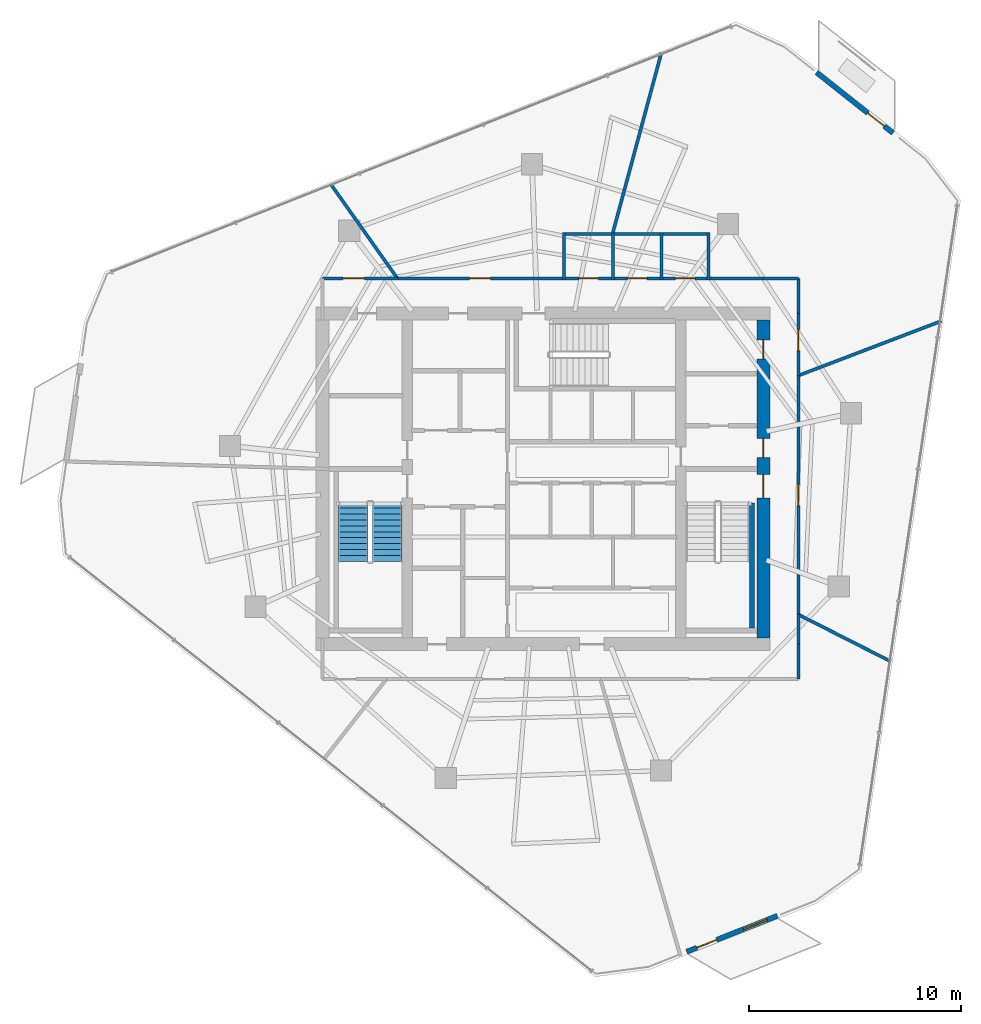
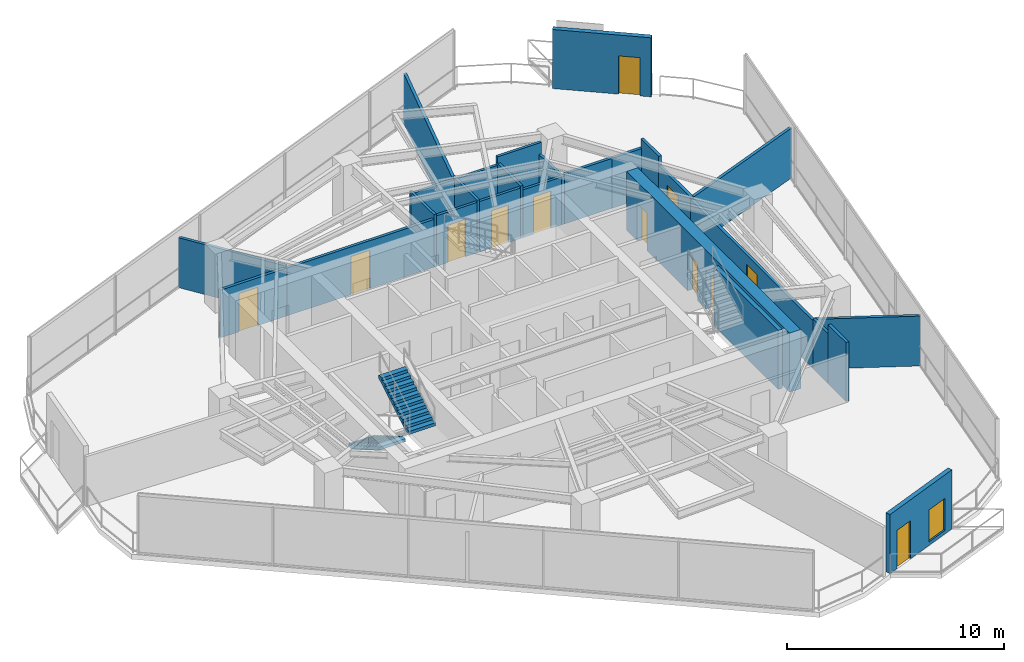
# One storey, part 17 of 20: 27 walls, 12 doors, 2 stair flights, 1 window, 13 openings, 1 element without a shape of its own.
"""IFC4 building model written with IfcOpenShell, lengths in metres."""

from ifc_helpers import new_model, si_unit, direction, frame, frame_2d, origin, place, context, subcontext, project, spatial, polyline, rectangle, outline, extrude, material, layer, layer_set, type_object, element, fill, aggregate, save


model = new_model("IFC4")

# Units and contexts
model_context = context("Model", 3, precision=1e-05, world=origin(), true_north=direction((0.0, 1.0)))
body_context = subcontext(model_context, "Body", "Model", "MODEL_VIEW")
ifc_project = project(units=[si_unit("LENGTHUNIT", "METRE"), si_unit("AREAUNIT", "SQUARE_METRE"), si_unit("VOLUMEUNIT", "CUBIC_METRE"), si_unit("PLANEANGLEUNIT", "RADIAN"), si_unit("MASSUNIT", "GRAM", prefix="KILO")], contexts=[model_context])

# Site, building, storey
site_placement = place(None, origin())
site = spatial("IfcSite", under=ifc_project, at=site_placement, CompositionType="ELEMENT")
building_placement = place(site_placement, origin())
building = spatial("IfcBuilding", under=site, at=building_placement, Name="Qarnah Convention Tower", CompositionType="ELEMENT")
storey_placement = place(building_placement, frame((0.0, 0.0, 147.300048828125)))
storey = spatial("IfcBuildingStorey", under=building, at=storey_placement, Name="L39", CompositionType="ELEMENT", Elevation=147.300048828125)

# Wall, openings, doors
ifc_material_1 = material(Name="Concrete C60/75", Category="concrete")
ifc_layer_1 = layer(ifc_material_1, 0.60009765625)
ifc_layer_set_1 = layer_set([ifc_layer_1], Name="Concrete C60/75")
wall_type_1 = type_object("IfcWallType", Name="WL-CORE-600", PredefinedType="SHEAR", material=ifc_layer_set_1)
wall_1_placement = place(storey_placement, frame((47.60009765625, 18.89990234375, 0.0), z_axis=(0.0, 0.0, 1.0), x_axis=(0.0, 1.0, 0.0)))
wall_1 = element("IfcWall", 1, at=wall_1_placement, inside=storey, type_object=wall_type_1, Name="L39 core east shear wall", PredefinedType="SHEAR", context=body_context, shape_type="SweptSolid", body=[
    extrude(rectangle(XDim=15.0, YDim=0.60009765625, at=frame_2d((7.5, 0.0))), origin(), (0.0, 0.0, 1.0), 3.320068359375),
])
opening_1_placement = place(wall_1_placement, frame((6.60009765625, 0.0, 0.0)))
opening_1 = element("IfcOpeningElement", 2, at=opening_1_placement, cuts=wall_1, Name="Opening D-3902", PredefinedType="OPENING", context=body_context, shape_type="SweptSolid", body=[
    extrude(rectangle(XDim=1.10009765625, YDim=2.14990234375, at=frame_2d((0.550048828125, 1.074951171875))), frame((0.0, 0.31005859375, 0.0), z_axis=(0.0, -1.0, 0.0), x_axis=(1.0, 0.0, 0.0)), (0.0, 0.0, 1.0), 0.6201171875),
])
opening_2_placement = place(wall_1_placement, frame((8.5, 0.0, 0.0)))
opening_2 = element("IfcOpeningElement", 3, at=opening_2_placement, cuts=wall_1, Name="Opening D-3906", PredefinedType="OPENING", context=body_context, shape_type="SweptSolid", body=[
    extrude(rectangle(XDim=0.89990234375, YDim=2.10009765625, at=frame_2d((0.449951171875, 1.050048828125))), frame((0.0, 0.31005859375, 0.0), z_axis=(0.0, -1.0, 0.0), x_axis=(1.0, 0.0, 0.0)), (0.0, 0.0, 1.0), 0.6201171875),
])
opening_3_placement = place(wall_1_placement, frame((13.14990234375, 0.0, 0.0)))
opening_3 = element("IfcOpeningElement", 4, at=opening_3_placement, cuts=wall_1, Name="Opening D-3912", PredefinedType="OPENING", context=body_context, shape_type="SweptSolid", body=[
    extrude(rectangle(XDim=0.89990234375, YDim=2.10009765625, at=frame_2d((0.449951171875, 1.050048828125))), frame((0.0, 0.31005859375, 0.0), z_axis=(0.0, -1.0, 0.0), x_axis=(1.0, 0.0, 0.0)), (0.0, 0.0, 1.0), 0.6201171875),
])
ifc_material_2 = material(Name="Structural steel S355JR", Category="steel")
door_type_1 = type_object("IfcDoorType", Name="DT-RISER-900", OperationType="NOTDEFINED", PredefinedType="DOOR", material=ifc_material_2)
door_1_placement = place(opening_2_placement, origin())
door_1 = element("IfcDoor", 5, at=door_1_placement, inside=storey, type_object=door_type_1, Name="Door D-3906", OperationType="SINGLE_SWING_RIGHT", OverallHeight=2.10009765625, OverallWidth=0.89990234375, PredefinedType="DOOR", context=body_context, shape_type="SweptSolid", body=[
    extrude(rectangle(XDim=0.89990234375, YDim=2.10009765625, at=frame_2d((0.449951171875, 1.050048828125))), frame((0.0, 0.02490234375, 0.0), z_axis=(0.0, -1.0, 0.0), x_axis=(1.0, 0.0, 0.0)), (0.0, 0.0, 1.0), 0.050048828125),
])
fill(opening_2, door_1)
door_2_placement = place(opening_3_placement, origin())
door_2 = element("IfcDoor", 6, at=door_2_placement, inside=storey, type_object=door_type_1, Name="Door D-3912", OperationType="SINGLE_SWING_RIGHT", OverallHeight=2.10009765625, OverallWidth=0.89990234375, PredefinedType="DOOR", context=body_context, shape_type="SweptSolid", body=[
    extrude(rectangle(XDim=0.89990234375, YDim=2.10009765625, at=frame_2d((0.449951171875, 1.050048828125))), frame((0.0, 0.02490234375, 0.0), z_axis=(0.0, -1.0, 0.0), x_axis=(1.0, 0.0, 0.0)), (0.0, 0.0, 1.0), 0.050048828125),
])
fill(opening_3, door_2)
door_type_2 = type_object("IfcDoorType", Name="DT-STAIR-1100", OperationType="NOTDEFINED", PredefinedType="DOOR", material=ifc_material_2)
door_3_placement = place(opening_1_placement, origin())
door_3 = element("IfcDoor", 7, at=door_3_placement, inside=storey, type_object=door_type_2, Name="Door D-3902", OperationType="SINGLE_SWING_RIGHT", OverallHeight=2.14990234375, OverallWidth=1.10009765625, PredefinedType="DOOR", context=body_context, shape_type="SweptSolid", body=[
    extrude(rectangle(XDim=1.10009765625, YDim=2.14990234375, at=frame_2d((0.550048828125, 1.074951171875))), frame((0.0, 0.02490234375, 0.0), z_axis=(0.0, -1.0, 0.0), x_axis=(1.0, 0.0, 0.0)), (0.0, 0.0, 1.0), 0.050048828125),
])
fill(opening_1, door_3)

# Wall
ifc_layer_2 = layer(ifc_material_1, 0.219970703125)
ifc_layer_set_2 = layer_set([ifc_layer_2], Name="Concrete C60/75")
wall_type_2 = type_object("IfcWallType", Name="WL-CORE-STAIR-220", PredefinedType="SHEAR", material=ifc_layer_set_2)
wall_2_placement = place(storey_placement, frame((47.06005859375, 19.35009765625, 0.0), z_axis=(0.0, 0.0, 1.0), x_axis=(0.0, 1.0, 0.0)))
element("IfcWall", 8, at=wall_2_placement, inside=storey, type_object=wall_type_2, Name="L39 stair shaft shear wall SW-L39-ST2E", PredefinedType="SHEAR", context=body_context, shape_type="SweptSolid", body=[
    extrude(rectangle(XDim=5.89990234375, YDim=0.219970703125, at=frame_2d((2.949951171875, 0.0))), origin(), (0.0, 0.0, 1.0), 3.320068359375),
])

# Wall, opening, door
ifc_material_3 = material(Name="Precast concrete C45/55", Category="concrete")
ifc_layer_3 = layer(ifc_material_3, 0.239990234375)
ifc_layer_set_3 = layer_set([ifc_layer_3], Name="Precast concrete C45/55")
wall_type_3 = type_object("IfcWallType", Name="WL-EXT-BAL-240", PredefinedType="SOLIDWALL", material=ifc_layer_set_3)
wall_3_placement = place(storey_placement, frame((50.10400390625, 45.56689453125, 0.0), z_axis=(0.0, 0.0, 1.0), x_axis=(0.783729302123, -0.621102552719, 0.0)))
wall_3 = element("IfcWall", 9, at=wall_3_placement, inside=storey, type_object=wall_type_3, Name="L39 loggia threshold wall BAL-L39-C1", PredefinedType="SOLIDWALL", context=body_context, shape_type="SweptSolid", body=[
    extrude(rectangle(XDim=4.599853515625, YDim=0.239990234375, at=frame_2d((2.2998046875, 0.0))), origin(), (0.0, 0.0, 1.0), 3.320068359375),
])
opening_4_placement = place(wall_3_placement, frame((3.080078125, 0.0, 0.0)))
opening_4 = element("IfcOpeningElement", 10, at=opening_4_placement, cuts=wall_3, Name="Opening BD-3901", PredefinedType="OPENING", context=body_context, shape_type="SweptSolid", body=[
    extrude(rectangle(XDim=1.0, YDim=2.14990234375, at=frame_2d((0.5, 1.074951171875))), frame((0.0, 0.1298828125, 0.0), z_axis=(0.0, -1.0, 0.0), x_axis=(1.0, 0.0, 0.0)), (0.0, 0.0, 1.0), 0.260009765625),
])
ifc_material_4 = material(Name="Black anodised aluminium", Category="aluminium")
door_type_3 = type_object("IfcDoorType", Name="DT-BAL-1000", OperationType="NOTDEFINED", PredefinedType="DOOR", material=ifc_material_4)
door_4_placement = place(opening_4_placement, origin())
door_4 = element("IfcDoor", 11, at=door_4_placement, inside=storey, type_object=door_type_3, Name="L39 balcony terrace door BAL-L39-C1", OperationType="SINGLE_SWING_RIGHT", OverallHeight=2.14990234375, OverallWidth=1.0, PredefinedType="DOOR", context=body_context, shape_type="SweptSolid", body=[
    extrude(rectangle(XDim=1.0, YDim=2.14990234375, at=frame_2d((0.5, 1.074951171875))), frame((0.0, 0.02490234375, 0.0), z_axis=(0.0, -1.0, 0.0), x_axis=(1.0, 0.0, 0.0)), (0.0, 0.0, 1.0), 0.050048828125),
])
fill(opening_4, door_4)

# Wall, openings, door, window
wall_4_placement = place(storey_placement, frame((48.257080078125, 5.783935546875, 0.0), z_axis=(0.0, 0.0, 1.0), x_axis=(-0.929744926531, -0.368204252541, 0.0)))
wall_4 = element("IfcWall", 12, at=wall_4_placement, inside=storey, type_object=wall_type_3, Name="L39 loggia threshold wall BAL-L39-C3", PredefinedType="SOLIDWALL", context=body_context, shape_type="SweptSolid", body=[
    extrude(rectangle(XDim=4.600341796875, YDim=0.239990234375, at=frame_2d((2.30029296875, 0.0))), origin(), (0.0, 0.0, 1.0), 3.320068359375),
])
opening_5_placement = place(wall_4_placement, frame((3.080078125, 0.0, 0.0)))
opening_5 = element("IfcOpeningElement", 13, at=opening_5_placement, cuts=wall_4, Name="Opening BD-3903", PredefinedType="OPENING", context=body_context, shape_type="SweptSolid", body=[
    extrude(rectangle(XDim=1.0, YDim=2.14990234375, at=frame_2d((0.5, 1.074951171875))), frame((0.0, 0.1298828125, 0.0), z_axis=(0.0, -1.0, 0.0), x_axis=(1.0, 0.0, 0.0)), (0.0, 0.0, 1.0), 0.260009765625),
])
opening_6_placement = place(wall_4_placement, frame((0.52001953125, 0.0, 0.199951171875)))
opening_6 = element("IfcOpeningElement", 14, at=opening_6_placement, cuts=wall_4, Name="Opening WN5", PredefinedType="OPENING", context=body_context, shape_type="SweptSolid", body=[
    extrude(rectangle(XDim=1.199951171875, YDim=1.800048828125, at=frame_2d((0.60009765625, 0.89990234375))), frame((0.0, 0.1298828125, 0.0), z_axis=(0.0, -1.0, 0.0), x_axis=(1.0, 0.0, 0.0)), (0.0, 0.0, 1.0), 0.260009765625),
])
door_5_placement = place(opening_5_placement, origin())
door_5 = element("IfcDoor", 15, at=door_5_placement, inside=storey, type_object=door_type_3, Name="L39 balcony terrace door BAL-L39-C3", OperationType="SINGLE_SWING_RIGHT", OverallHeight=2.14990234375, OverallWidth=1.0, PredefinedType="DOOR", context=body_context, shape_type="SweptSolid", body=[
    extrude(rectangle(XDim=1.0, YDim=2.14990234375, at=frame_2d((0.5, 1.074951171875))), frame((0.0, 0.02490234375, 0.0), z_axis=(0.0, -1.0, 0.0), x_axis=(1.0, 0.0, 0.0)), (0.0, 0.0, 1.0), 0.050048828125),
])
fill(opening_5, door_5)
ifc_material_5 = material(Name="Tempered Low-E dark glass", Category="glass")
window_type = type_object("IfcWindowType", Name="WT-BAL-1200X1800", PartitioningType="SINGLE_PANEL", PredefinedType="WINDOW", material=ifc_material_5)
window_placement = place(opening_6_placement, origin())
window = element("IfcWindow", 16, at=window_placement, inside=storey, type_object=window_type, Name="Window BW-BAL-L39-C3", OverallHeight=1.800048828125, OverallWidth=1.199951171875, PartitioningType="SINGLE_PANEL", PredefinedType="WINDOW", context=body_context, shape_type="SweptSolid", body=[
    extrude(rectangle(XDim=1.199951171875, YDim=1.800048828125, at=frame_2d((0.60009765625, 0.89990234375))), frame((0.0, 0.030029296875, 0.0), z_axis=(0.0, -1.0, 0.0), x_axis=(1.0, 0.0, 0.0)), (0.0, 0.0, 1.0), 0.06005859375),
])
fill(opening_6, window)

# Walls
ifc_material_6 = material(Name="Gypsum partition board")
ifc_layer_4 = layer(ifc_material_6, 0.14990234375)
ifc_layer_set_4 = layer_set([ifc_layer_4], Name="Gypsum partition board")
wall_type_4 = type_object("IfcWallType", Name="WL-SUITE-150", PredefinedType="PARTITIONING", material=ifc_layer_set_4)
wall_5_placement = place(storey_placement, frame((42.783935546875, 46.492919921875, 0.0), z_axis=(0.0, 0.0, 1.0), x_axis=(-0.260267791006, -0.965536471069, 0.0)))
element("IfcWall", 17, at=wall_5_placement, inside=storey, type_object=wall_type_4, Name="L39 interior wall IW-L39-R-11", PredefinedType="PARTITIONING", context=body_context, shape_type="SweptSolid", body=[
    extrude(rectangle(XDim=8.775390625, YDim=0.14990234375, at=frame_2d((4.3876953125, 0.0))), origin(), (0.0, 0.0, 1.0), 2.804931640625),
])
wall_6_placement = place(storey_placement, frame((45.070068359375, 35.85009765625, 0.0), z_axis=(0.0, 0.0, 1.0), x_axis=(1.0, 0.0, 0.0)))
element("IfcWall", 18, at=wall_6_placement, inside=storey, type_object=wall_type_4, Name="L39 interior wall IW-L39-R-12", PredefinedType="PARTITIONING", context=body_context, shape_type="SweptSolid", body=[
    extrude(rectangle(XDim=2.530029296875, YDim=0.14990234375, at=frame_2d((1.26513671875, 0.0))), origin(), (0.0, 0.0, 1.0), 2.804931640625),
])
wall_7_placement = place(storey_placement, frame((47.60009765625, 35.85009765625, 0.0), z_axis=(0.0, 0.0, 1.0), x_axis=(1.0, 0.0, 0.0)))
element("IfcWall", 19, at=wall_7_placement, inside=storey, type_object=wall_type_4, Name="L39 interior wall IW-L39-R-13", PredefinedType="PARTITIONING", context=body_context, shape_type="SweptSolid", body=[
    extrude(rectangle(XDim=1.64990234375, YDim=0.14990234375, at=frame_2d((0.824951171875, 0.0))), origin(), (0.0, 0.0, 1.0), 2.804931640625),
])
wall_8_placement = place(storey_placement, frame((49.25, 35.85009765625, 0.0), z_axis=(0.0, 0.0, 1.0), x_axis=(0.0, -1.0, 0.0)))
element("IfcWall", 20, at=wall_8_placement, inside=storey, type_object=wall_type_4, Name="L39 interior wall IW-L39-R-14", PredefinedType="PARTITIONING", context=body_context, shape_type="SweptSolid", body=[
    extrude(rectangle(XDim=1.650146484375, YDim=0.14990234375, at=frame_2d((0.8251953125, 0.0))), origin(), (0.0, 0.0, 1.0), 3.320068359375),
])

# Wall, opening, door
wall_9_placement = place(storey_placement, frame((49.25, 34.199951171875, 0.0), z_axis=(0.0, 0.0, 1.0), x_axis=(0.0, -1.0, 0.0)))
wall_9 = element("IfcWall", 21, at=wall_9_placement, inside=storey, type_object=wall_type_4, Name="L39 interior wall IW-L39-R-15", PredefinedType="PARTITIONING", context=body_context, shape_type="SweptSolid", body=[
    extrude(rectangle(XDim=2.930908203125, YDim=0.14990234375, at=frame_2d((1.46533203125, 0.0))), origin(), (0.0, 0.0, 1.0), 2.804931640625),
])
opening_7_placement = place(wall_9_placement, frame((0.758056640625, 0.0, 0.0)))
opening_7 = element("IfcOpeningElement", 22, at=opening_7_placement, cuts=wall_9, Name="Opening D-3921", PredefinedType="OPENING", context=body_context, shape_type="SweptSolid", body=[
    extrude(rectangle(XDim=1.0, YDim=2.14990234375, at=frame_2d((0.5, 1.074951171875))), frame((0.0, 0.0849609375, 0.0), z_axis=(0.0, -1.0, 0.0), x_axis=(1.0, 0.0, 0.0)), (0.0, 0.0, 1.0), 0.169921875),
])
ifc_material_7 = material(Name="Oak timber veneer", Category="wood")
door_type_4 = type_object("IfcDoorType", Name="DT-OFFICE-1000", OperationType="NOTDEFINED", PredefinedType="DOOR", material=ifc_material_7)
door_6_placement = place(opening_7_placement, origin())
door_6 = element("IfcDoor", 23, at=door_6_placement, inside=storey, type_object=door_type_4, Name="Door D-3921", OperationType="SINGLE_SWING_LEFT", OverallHeight=2.14990234375, OverallWidth=1.0, PredefinedType="DOOR", context=body_context, shape_type="SweptSolid", body=[
    extrude(rectangle(XDim=1.0, YDim=2.14990234375, at=frame_2d((0.5, 1.074951171875))), frame((0.0, 0.02490234375, 0.0), z_axis=(0.0, -1.0, 0.0), x_axis=(1.0, 0.0, 0.0)), (0.0, 0.0, 1.0), 0.050048828125),
])
fill(opening_7, door_6)

# Walls
wall_10_placement = place(storey_placement, frame((49.25, 31.26904296875, 0.0), z_axis=(0.0, 0.0, 1.0), x_axis=(0.934340171391, 0.356382440821, 0.0)))
element("IfcWall", 24, at=wall_10_placement, inside=storey, type_object=wall_type_4, Name="L39 interior wall IW-L39-R-16", PredefinedType="PARTITIONING", context=body_context, shape_type="SweptSolid", body=[
    extrude(rectangle(XDim=7.21142578125, YDim=0.14990234375, at=frame_2d((3.605712890625, 0.0))), origin(), (0.0, 0.0, 1.0), 2.804931640625),
])
wall_11_placement = place(storey_placement, frame((27.18505859375, 40.302001953125, 0.0), z_axis=(0.0, 0.0, 1.0), x_axis=(0.577466904183, -0.816414095036, 0.0)))
element("IfcWall", 25, at=wall_11_placement, inside=storey, type_object=wall_type_4, Name="L39 interior wall IW-L39-R-17", PredefinedType="PARTITIONING", context=body_context, shape_type="SweptSolid", body=[
    extrude(rectangle(XDim=5.452880859375, YDim=0.14990234375, at=frame_2d((2.7265625, 0.0))), origin(), (0.0, 0.0, 1.0), 2.804931640625),
])

# Wall, opening, door
wall_12_placement = place(storey_placement, frame((30.333984375, 35.85009765625, 0.0), z_axis=(0.0, 0.0, 1.0), x_axis=(1.0, 0.0, 0.0)))
wall_12 = element("IfcWall", 26, at=wall_12_placement, inside=storey, type_object=wall_type_4, Name="L39 interior wall IW-L39-R-18", PredefinedType="PARTITIONING", context=body_context, shape_type="SweptSolid", body=[
    extrude(rectangle(XDim=7.7958984375, YDim=0.14990234375, at=frame_2d((3.89794921875, 0.0))), origin(), (0.0, 0.0, 1.0), 2.68701171875),
])
opening_8_placement = place(wall_12_placement, frame((3.39794921875, 0.0, 0.0)))
opening_8 = element("IfcOpeningElement", 27, at=opening_8_placement, cuts=wall_12, Name="Opening D-3922", PredefinedType="OPENING", context=body_context, shape_type="SweptSolid", body=[
    extrude(rectangle(XDim=1.0, YDim=2.14990234375, at=frame_2d((0.5, 1.074951171875))), frame((0.0, 0.0849609375, 0.0), z_axis=(0.0, -1.0, 0.0), x_axis=(1.0, 0.0, 0.0)), (0.0, 0.0, 1.0), 0.169921875),
])
door_7_placement = place(opening_8_placement, origin())
door_7 = element("IfcDoor", 28, at=door_7_placement, inside=storey, type_object=door_type_4, Name="Door D-3922", OperationType="SINGLE_SWING_RIGHT", OverallHeight=2.14990234375, OverallWidth=1.0, PredefinedType="DOOR", context=body_context, shape_type="SweptSolid", body=[
    extrude(rectangle(XDim=1.0, YDim=2.14990234375, at=frame_2d((0.5, 1.074951171875))), frame((0.0, 0.02490234375, 0.0), z_axis=(0.0, -1.0, 0.0), x_axis=(1.0, 0.0, 0.0)), (0.0, 0.0, 1.0), 0.050048828125),
])
fill(opening_8, door_7)

wall_13_placement = place(storey_placement, frame((26.800048828125, 35.85009765625, 0.0), z_axis=(0.0, 0.0, 1.0), x_axis=(1.0, 0.0, 0.0)))
wall_13 = element("IfcWall", 29, at=wall_13_placement, inside=storey, type_object=wall_type_4, Name="L39 interior wall IW-L39-R-21", PredefinedType="PARTITIONING", context=body_context, shape_type="SweptSolid", body=[
    extrude(rectangle(XDim=3.533935546875, YDim=0.14990234375, at=frame_2d((1.76708984375, 0.0))), origin(), (0.0, 0.0, 1.0), 2.68701171875),
])
opening_9_placement = place(wall_13_placement, frame((0.97412109375, 0.0, 0.0)))
opening_9 = element("IfcOpeningElement", 30, at=opening_9_placement, cuts=wall_13, Name="Opening D-3923", PredefinedType="OPENING", context=body_context, shape_type="SweptSolid", body=[
    extrude(rectangle(XDim=1.0, YDim=2.14990234375, at=frame_2d((0.5, 1.074951171875))), frame((0.0, 0.0849609375, 0.0), z_axis=(0.0, -1.0, 0.0), x_axis=(1.0, 0.0, 0.0)), (0.0, 0.0, 1.0), 0.169921875),
])
door_8_placement = place(opening_9_placement, origin())
door_8 = element("IfcDoor", 31, at=door_8_placement, inside=storey, type_object=door_type_4, Name="Door D-3923", OperationType="SINGLE_SWING_LEFT", OverallHeight=2.14990234375, OverallWidth=1.0, PredefinedType="DOOR", context=body_context, shape_type="SweptSolid", body=[
    extrude(rectangle(XDim=1.0, YDim=2.14990234375, at=frame_2d((0.5, 1.074951171875))), frame((0.0, 0.02490234375, 0.0), z_axis=(0.0, -1.0, 0.0), x_axis=(1.0, 0.0, 0.0)), (0.0, 0.0, 1.0), 0.050048828125),
])
fill(opening_9, door_8)

# Walls
wall_14_placement = place(storey_placement, frame((53.610107421875, 17.780029296875, 0.0), z_axis=(0.0, 0.0, 1.0), x_axis=(-0.891724745878, 0.452578145285, 0.0)))
element("IfcWall", 32, at=wall_14_placement, inside=storey, type_object=wall_type_4, Name="L39 interior wall IW-L39-R-27", PredefinedType="PARTITIONING", context=body_context, shape_type="SweptSolid", body=[
    extrude(rectangle(XDim=4.889404296875, YDim=0.14990234375, at=frame_2d((2.44482421875, 0.0))), origin(), (0.0, 0.0, 1.0), 2.804931640625),
])
wall_15_placement = place(storey_placement, frame((49.25, 19.992919921875, 0.0), z_axis=(0.0, 0.0, 1.0), x_axis=(0.0, -1.0, 0.0)))
element("IfcWall", 33, at=wall_15_placement, inside=storey, type_object=wall_type_4, Name="L39 interior wall IW-L39-R-28", PredefinedType="PARTITIONING", context=body_context, shape_type="SweptSolid", body=[
    extrude(rectangle(XDim=1.392822265625, YDim=0.14990234375, at=frame_2d((0.6962890625, 0.0))), origin(), (0.0, 0.0, 1.0), 2.804931640625),
])
wall_16_placement = place(storey_placement, frame((49.25, 18.60009765625, 0.0), z_axis=(0.0, 0.0, 1.0), x_axis=(0.0, -1.0, 0.0)))
element("IfcWall", 34, at=wall_16_placement, inside=storey, type_object=wall_type_4, Name="L39 interior wall IW-L39-R-29", PredefinedType="PARTITIONING", context=body_context, shape_type="SweptSolid", body=[
    extrude(rectangle(XDim=1.650146484375, YDim=0.14990234375, at=frame_2d((0.8251953125, 0.0))), origin(), (0.0, 0.0, 1.0), 3.320068359375),
])

# Wall, opening, door
wall_17_placement = place(storey_placement, frame((49.25, 31.26904296875, 0.0), z_axis=(0.0, 0.0, 1.0), x_axis=(0.0, -1.0, 0.0)))
wall_17 = element("IfcWall", 35, at=wall_17_placement, inside=storey, type_object=wall_type_4, Name="L39 interior wall IW-L39-R-31", PredefinedType="PARTITIONING", context=body_context, shape_type="SweptSolid", body=[
    extrude(rectangle(XDim=11.276123046875, YDim=0.14990234375, at=frame_2d((5.63818359375, 0.0))), origin(), (0.0, 0.0, 1.0), 2.68701171875),
])
opening_10_placement = place(wall_17_placement, frame((5.137939453125, 0.0, 0.0)))
opening_10 = element("IfcOpeningElement", 36, at=opening_10_placement, cuts=wall_17, Name="Opening D-3927", PredefinedType="OPENING", context=body_context, shape_type="SweptSolid", body=[
    extrude(rectangle(XDim=1.0, YDim=2.14990234375, at=frame_2d((0.5, 1.074951171875))), frame((0.0, 0.0849609375, 0.0), z_axis=(0.0, -1.0, 0.0), x_axis=(1.0, 0.0, 0.0)), (0.0, 0.0, 1.0), 0.169921875),
])
door_9_placement = place(opening_10_placement, origin())
door_9 = element("IfcDoor", 37, at=door_9_placement, inside=storey, type_object=door_type_4, Name="Door D-3927", OperationType="SINGLE_SWING_LEFT", OverallHeight=2.14990234375, OverallWidth=1.0, PredefinedType="DOOR", context=body_context, shape_type="SweptSolid", body=[
    extrude(rectangle(XDim=1.0, YDim=2.14990234375, at=frame_2d((0.5, 1.074951171875))), frame((0.0, 0.02490234375, 0.0), z_axis=(0.0, -1.0, 0.0), x_axis=(1.0, 0.0, 0.0)), (0.0, 0.0, 1.0), 0.050048828125),
])
fill(opening_10, door_9)

ifc_layer_5 = layer(ifc_material_6, 0.139892578125)
ifc_layer_set_5 = layer_set([ifc_layer_5], Name="Gypsum partition board")
wall_type_5 = type_object("IfcWallType", Name="WL-WET-140", PredefinedType="PARTITIONING", material=ifc_layer_set_5)
wall_18_placement = place(storey_placement, frame((38.1298828125, 35.85009765625, 0.0), z_axis=(0.0, 0.0, 1.0), x_axis=(1.0, 0.0, 0.0)))
wall_18 = element("IfcWall", 38, at=wall_18_placement, inside=storey, type_object=wall_type_5, Name="L39 interior wall IW-L39-WCM-1", PredefinedType="PARTITIONING", context=body_context, shape_type="SweptSolid", body=[
    extrude(rectangle(XDim=2.440185546875, YDim=0.139892578125, at=frame_2d((1.22021484375, 0.0))), origin(), (0.0, 0.0, 1.0), 2.841064453125),
])
opening_11_placement = place(wall_18_placement, frame((0.760009765625, 0.0, 0.0)))
opening_11 = element("IfcOpeningElement", 39, at=opening_11_placement, cuts=wall_18, Name="Opening D-3918", PredefinedType="OPENING", context=body_context, shape_type="SweptSolid", body=[
    extrude(rectangle(XDim=0.919921875, YDim=2.10009765625, at=frame_2d((0.4599609375, 1.050048828125))), frame((0.0, 0.079833984375, 0.0), z_axis=(0.0, -1.0, 0.0), x_axis=(1.0, 0.0, 0.0)), (0.0, 0.0, 1.0), 0.159912109375),
])
door_type_5 = type_object("IfcDoorType", Name="DT-WC-920", OperationType="NOTDEFINED", PredefinedType="DOOR", material=ifc_material_7)
door_10_placement = place(opening_11_placement, origin())
door_10 = element("IfcDoor", 40, at=door_10_placement, inside=storey, type_object=door_type_5, Name="Door D-3918", OperationType="SINGLE_SWING_RIGHT", OverallHeight=2.10009765625, OverallWidth=0.919921875, PredefinedType="DOOR", context=body_context, shape_type="SweptSolid", body=[
    extrude(rectangle(XDim=0.919921875, YDim=2.10009765625, at=frame_2d((0.4599609375, 1.050048828125))), frame((0.0, 0.02490234375, 0.0), z_axis=(0.0, -1.0, 0.0), x_axis=(1.0, 0.0, 0.0)), (0.0, 0.0, 1.0), 0.050048828125),
])
fill(opening_11, door_10)

# Walls
wall_19_placement = place(storey_placement, frame((40.5, 35.780029296875, 0.0), z_axis=(0.0, 0.0, 1.0), x_axis=(0.0, 1.0, 0.0)))
element("IfcWall", 41, at=wall_19_placement, inside=storey, type_object=wall_type_5, Name="L39 interior wall IW-L39-WCM-2", PredefinedType="PARTITIONING", context=body_context, shape_type="SweptSolid", body=[
    extrude(rectangle(XDim=2.239990234375, YDim=0.139892578125, at=frame_2d((1.1201171875, 0.0))), origin(), (0.0, 0.0, 1.0), 2.948974609375),
])
wall_20_placement = place(storey_placement, frame((40.570068359375, 37.949951171875, 0.0), z_axis=(0.0, 0.0, 1.0), x_axis=(-1.0, 0.0, 0.0)))
element("IfcWall", 42, at=wall_20_placement, inside=storey, type_object=wall_type_5, Name="L39 interior wall IW-L39-WCM-3", PredefinedType="PARTITIONING", context=body_context, shape_type="SweptSolid", body=[
    extrude(rectangle(XDim=2.440185546875, YDim=0.139892578125, at=frame_2d((1.22021484375, 0.0))), origin(), (0.0, 0.0, 1.0), 2.841064453125),
])
wall_21_placement = place(storey_placement, frame((38.199951171875, 38.02001953125, 0.0), z_axis=(0.0, 0.0, 1.0), x_axis=(0.0, -1.0, 0.0)))
element("IfcWall", 43, at=wall_21_placement, inside=storey, type_object=wall_type_5, Name="L39 interior wall IW-L39-WCM-4", PredefinedType="PARTITIONING", context=body_context, shape_type="SweptSolid", body=[
    extrude(rectangle(XDim=2.239990234375, YDim=0.139892578125, at=frame_2d((1.1201171875, 0.0))), origin(), (0.0, 0.0, 1.0), 2.948974609375),
])

# Wall, opening, door
wall_22_placement = place(storey_placement, frame((40.429931640625, 35.85009765625, 0.0), z_axis=(0.0, 0.0, 1.0), x_axis=(1.0, 0.0, 0.0)))
wall_22 = element("IfcWall", 44, at=wall_22_placement, inside=storey, type_object=wall_type_5, Name="L39 interior wall IW-L39-WCF-1", PredefinedType="PARTITIONING", context=body_context, shape_type="SweptSolid", body=[
    extrude(rectangle(XDim=2.440185546875, YDim=0.139892578125, at=frame_2d((1.22021484375, 0.0))), origin(), (0.0, 0.0, 1.0), 2.841064453125),
])
opening_12_placement = place(wall_22_placement, frame((0.760009765625, 0.0, 0.0)))
opening_12 = element("IfcOpeningElement", 45, at=opening_12_placement, cuts=wall_22, Name="Opening D-3919", PredefinedType="OPENING", context=body_context, shape_type="SweptSolid", body=[
    extrude(rectangle(XDim=0.919921875, YDim=2.10009765625, at=frame_2d((0.4599609375, 1.050048828125))), frame((0.0, 0.079833984375, 0.0), z_axis=(0.0, -1.0, 0.0), x_axis=(1.0, 0.0, 0.0)), (0.0, 0.0, 1.0), 0.159912109375),
])
door_11_placement = place(opening_12_placement, origin())
door_11 = element("IfcDoor", 46, at=door_11_placement, inside=storey, type_object=door_type_5, Name="Door D-3919", OperationType="SINGLE_SWING_LEFT", OverallHeight=2.10009765625, OverallWidth=0.919921875, PredefinedType="DOOR", context=body_context, shape_type="SweptSolid", body=[
    extrude(rectangle(XDim=0.919921875, YDim=2.10009765625, at=frame_2d((0.4599609375, 1.050048828125))), frame((0.0, 0.02490234375, 0.0), z_axis=(0.0, -1.0, 0.0), x_axis=(1.0, 0.0, 0.0)), (0.0, 0.0, 1.0), 0.050048828125),
])
fill(opening_12, door_11)

# Walls
wall_23_placement = place(storey_placement, frame((42.800048828125, 35.780029296875, 0.0), z_axis=(0.0, 0.0, 1.0), x_axis=(0.0, 1.0, 0.0)))
element("IfcWall", 47, at=wall_23_placement, inside=storey, type_object=wall_type_5, Name="L39 interior wall IW-L39-WCF-2", PredefinedType="PARTITIONING", context=body_context, shape_type="SweptSolid", body=[
    extrude(rectangle(XDim=2.239990234375, YDim=0.139892578125, at=frame_2d((1.1201171875, 0.0))), origin(), (0.0, 0.0, 1.0), 2.948974609375),
])
wall_24_placement = place(storey_placement, frame((42.8701171875, 37.949951171875, 0.0), z_axis=(0.0, 0.0, 1.0), x_axis=(-1.0, 0.0, 0.0)))
element("IfcWall", 48, at=wall_24_placement, inside=storey, type_object=wall_type_5, Name="L39 interior wall IW-L39-WCF-3", PredefinedType="PARTITIONING", context=body_context, shape_type="SweptSolid", body=[
    extrude(rectangle(XDim=2.440185546875, YDim=0.139892578125, at=frame_2d((1.22021484375, 0.0))), origin(), (0.0, 0.0, 1.0), 2.841064453125),
])

# Wall, opening, door
wall_25_placement = place(storey_placement, frame((42.72998046875, 35.85009765625, 0.0), z_axis=(0.0, 0.0, 1.0), x_axis=(1.0, 0.0, 0.0)))
wall_25 = element("IfcWall", 49, at=wall_25_placement, inside=storey, type_object=wall_type_5, Name="L39 interior wall IW-L39-WCA-1", PredefinedType="PARTITIONING", context=body_context, shape_type="SweptSolid", body=[
    extrude(rectangle(XDim=2.340087890625, YDim=0.139892578125, at=frame_2d((1.169921875, 0.0))), origin(), (0.0, 0.0, 1.0), 2.68701171875),
])
opening_13_placement = place(wall_25_placement, frame((0.7099609375, 0.0, 0.0)))
opening_13 = element("IfcOpeningElement", 50, at=opening_13_placement, cuts=wall_25, Name="Opening D-3920", PredefinedType="OPENING", context=body_context, shape_type="SweptSolid", body=[
    extrude(rectangle(XDim=0.919921875, YDim=2.10009765625, at=frame_2d((0.4599609375, 1.050048828125))), frame((0.0, 0.079833984375, 0.0), z_axis=(0.0, -1.0, 0.0), x_axis=(1.0, 0.0, 0.0)), (0.0, 0.0, 1.0), 0.159912109375),
])
door_12_placement = place(opening_13_placement, origin())
door_12 = element("IfcDoor", 51, at=door_12_placement, inside=storey, type_object=door_type_5, Name="Door D-3920", OperationType="SINGLE_SWING_RIGHT", OverallHeight=2.10009765625, OverallWidth=0.919921875, PredefinedType="DOOR", context=body_context, shape_type="SweptSolid", body=[
    extrude(rectangle(XDim=0.919921875, YDim=2.10009765625, at=frame_2d((0.4599609375, 1.050048828125))), frame((0.0, 0.02490234375, 0.0), z_axis=(0.0, -1.0, 0.0), x_axis=(1.0, 0.0, 0.0)), (0.0, 0.0, 1.0), 0.050048828125),
])
fill(opening_13, door_12)

# Walls
wall_26_placement = place(storey_placement, frame((45.0, 35.780029296875, 0.0), z_axis=(0.0, 0.0, 1.0), x_axis=(0.0, 1.0, 0.0)))
element("IfcWall", 52, at=wall_26_placement, inside=storey, type_object=wall_type_5, Name="L39 interior wall IW-L39-WCA-2", PredefinedType="PARTITIONING", context=body_context, shape_type="SweptSolid", body=[
    extrude(rectangle(XDim=2.239990234375, YDim=0.139892578125, at=frame_2d((1.1201171875, 0.0))), origin(), (0.0, 0.0, 1.0), 2.68701171875),
])
wall_27_placement = place(storey_placement, frame((45.070068359375, 37.949951171875, 0.0), z_axis=(0.0, 0.0, 1.0), x_axis=(-1.0, 0.0, 0.0)))
element("IfcWall", 53, at=wall_27_placement, inside=storey, type_object=wall_type_5, Name="L39 interior wall IW-L39-WCA-3", PredefinedType="PARTITIONING", context=body_context, shape_type="SweptSolid", body=[
    extrude(rectangle(XDim=2.340087890625, YDim=0.139892578125, at=frame_2d((1.169921875, 0.0))), origin(), (0.0, 0.0, 1.0), 3.320068359375),
])

# Stair, stair flights
ifc_material_8 = material(Name="Concrete C50/60", Category="concrete")
stair_type = type_object("IfcStairType", Name="STR-OFF", PredefinedType="HALF_TURN_STAIR", material=ifc_material_8)
stair_placement = place(storey_placement, origin())
stair = element("IfcStair", 54, at=stair_placement, inside=storey, type_object=stair_type, Name="L39 Core exit stair ST-1", PredefinedType="HALF_TURN_STAIR")
stair_flight_type = type_object("IfcStairFlightType", Name="FLT-OFF", PredefinedType="STRAIGHT", material=ifc_material_8)
stair_flight_1_placement = place(storey_placement, frame((28.25, 25.300048828125, 0.0), z_axis=(0.0, 0.0, 1.0), x_axis=(0.0, -1.0, 0.0)))
stair_flight_1 = element("IfcStairFlight", 55, at=stair_flight_1_placement, type_object=stair_flight_type, Name="ST-1 flight 1", NumberOfRisers=11, NumberOfTreads=10, PredefinedType="STRAIGHT", RiserHeight=0.163636364, TreadLength=0.28, context=body_context, shape_type="SweptSolid", body=[
    extrude(outline(polyline([(0.0, 0.0), (0.0, 0.16357421875), (0.280029296875, 0.16357421875), (0.280029296875, 0.327392578125), (0.56005859375, 0.327392578125), (0.56005859375, 0.490966796875), (0.840087890625, 0.490966796875), (0.840087890625, 0.654541015625), (1.1201171875, 0.654541015625), (1.1201171875, 0.818115234375), (1.39990234375, 0.818115234375), (1.39990234375, 0.98193359375), (1.679931640625, 0.98193359375), (1.679931640625, 1.1455078125), (1.9599609375, 1.1455078125), (1.9599609375, 1.30908203125), (2.239990234375, 1.30908203125), (2.239990234375, 1.47265625), (2.52001953125, 1.47265625), (2.52001953125, 1.636474609375), (2.800048828125, 1.636474609375), (2.800048828125, 1.800048828125), (2.800048828125, 1.462646484375), (0.297119140625, 0.0), (0.0, 0.0)])), frame((0.0, 0.699951171875, 0.0), z_axis=(0.0, -1.0, 0.0), x_axis=(1.0, 0.0, 0.0)), (0.0, 0.0, 1.0), 1.39990234375),
])
stair_flight_2_placement = place(storey_placement, frame((29.85009765625, 22.5, 1.800048828125), z_axis=(0.0, 0.0, 1.0), x_axis=(0.0, 1.0, 0.0)))
stair_flight_2 = element("IfcStairFlight", 56, at=stair_flight_2_placement, type_object=stair_flight_type, Name="ST-1 flight 2", NumberOfRisers=11, NumberOfTreads=10, PredefinedType="STRAIGHT", RiserHeight=0.163636364, TreadLength=0.28, context=body_context, shape_type="SweptSolid", body=[
    extrude(outline(polyline([(0.0, 0.0), (0.0, 0.16357421875), (0.280029296875, 0.16357421875), (0.280029296875, 0.327392578125), (0.56005859375, 0.327392578125), (0.56005859375, 0.490966796875), (0.840087890625, 0.490966796875), (0.840087890625, 0.654541015625), (1.1201171875, 0.654541015625), (1.1201171875, 0.818115234375), (1.39990234375, 0.818115234375), (1.39990234375, 0.98193359375), (1.679931640625, 0.98193359375), (1.679931640625, 1.1455078125), (1.9599609375, 1.1455078125), (1.9599609375, 1.30908203125), (2.239990234375, 1.30908203125), (2.239990234375, 1.47265625), (2.52001953125, 1.47265625), (2.52001953125, 1.636474609375), (2.800048828125, 1.636474609375), (2.800048828125, 1.800048828125), (2.800048828125, 1.462646484375), (0.297119140625, 0.0), (0.0, 0.0)])), frame((0.0, 0.699951171875, 0.0), z_axis=(0.0, -1.0, 0.0), x_axis=(1.0, 0.0, 0.0)), (0.0, 0.0, 1.0), 1.39990234375),
])
aggregate(stair, [stair_flight_1, stair_flight_2])

save(model, "model.ifc")
